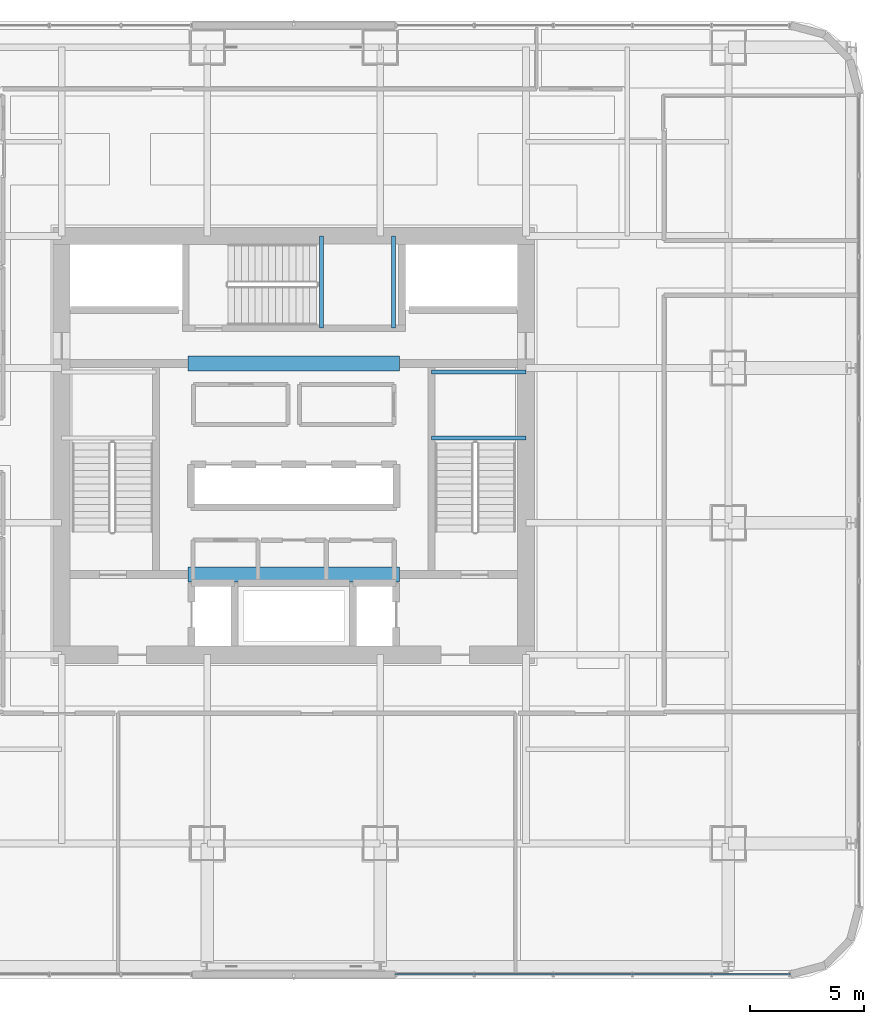
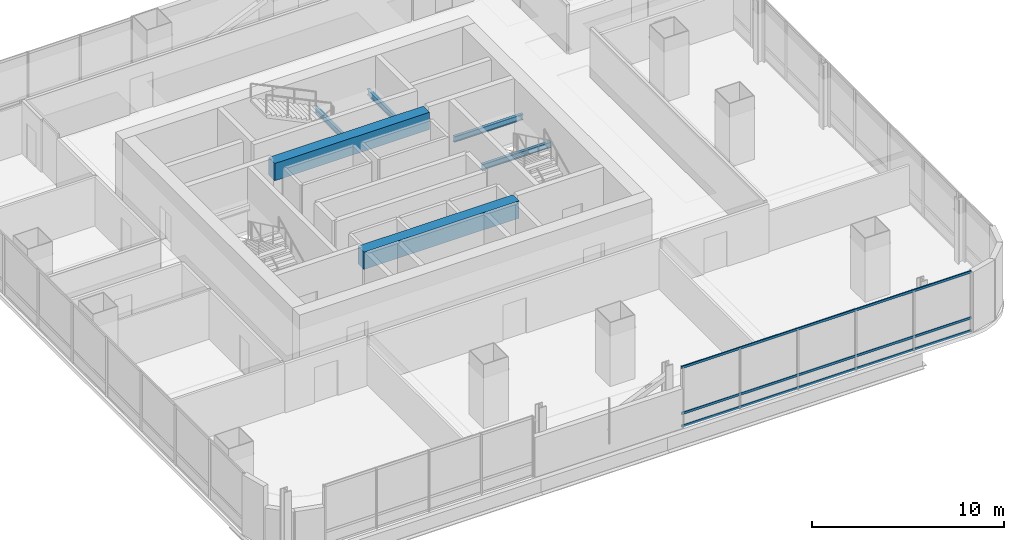
# One storey, part 10 of 40: 6 beams, 3 members, 1 element without a shape of its own.
"""IFC4 building model written with IfcOpenShell, lengths in metres."""

from ifc_helpers import new_model, si_unit, direction, frame, origin, origin_2d, place, context, subcontext, project, spatial, rectangle, hollow_rectangle, i_section, extrude, material, material_profile, profile_set, type_object, element, aggregate, save


model = new_model("IFC4")

# Units and contexts
model_context = context("Model", 3, precision=1e-05, world=origin(), true_north=direction((0.0, 1.0)))
body_context = subcontext(model_context, "Body", "Model", "MODEL_VIEW")
ifc_project = project(units=[si_unit("LENGTHUNIT", "METRE"), si_unit("AREAUNIT", "SQUARE_METRE"), si_unit("VOLUMEUNIT", "CUBIC_METRE"), si_unit("PLANEANGLEUNIT", "RADIAN"), si_unit("MASSUNIT", "GRAM", prefix="KILO")], contexts=[model_context])

# Site, building, storey
site_placement = place(None, origin())
site = spatial("IfcSite", under=ifc_project, at=site_placement, CompositionType="ELEMENT")
building_placement = place(site_placement, origin())
building = spatial("IfcBuilding", under=site, at=building_placement, Name="Punatoya Terracotta Tower", CompositionType="ELEMENT")
storey_placement = place(building_placement, frame((0.0, 0.0, 76.800048828125)))
storey = spatial("IfcBuildingStorey", under=building, at=storey_placement, Name="L17", CompositionType="ELEMENT", Elevation=76.800048828125)

# Beams
ifc_material_1 = material(Name="Concrete C60/75", Category="concrete")
ifc_material_profile_1 = material_profile(ifc_material_1, rectangle(XDim=0.64990234375, YDim=1.10009765625, at=origin_2d()))
ifc_profile_set_1 = profile_set([ifc_material_profile_1], Name="Concrete C60/75")
beam_type_1 = type_object("IfcBeamType", Name="BM-RC-1100", PredefinedType="LINTEL", material=ifc_profile_set_1)
for number, where, z_axis, x_axis, name in (
    (1, (-4.64990234375, -5.679931640625, 3.260009765625), (1.0, 0.0, 0.0), (0.0, 1.0, 0.0), "L17 Core Coupling Lintel CSW"),
    (2, (-4.64990234375, 3.60009765625, 3.260009765625), (1.0, 0.0, 0.0), (0.0, 1.0, 0.0), "L17 Core Coupling Lintel CNW"),
):
    element("IfcBeam", number, at=place(storey_placement, frame(where, z_axis=z_axis, x_axis=x_axis)), inside=storey, type_object=beam_type_1, Name=name, PredefinedType="LINTEL", context=body_context, shape_type="SweptSolid", body=[
        extrude(rectangle(XDim=0.64990234375, YDim=1.10009765625, at=origin_2d()), origin(), (0.0, 0.0, 1.0), 9.2998046875),
    ])
ifc_material_2 = material(Name="Steel S355", Category="steel")
ifc_material_profile_2 = material_profile(ifc_material_2, i_section(OverallWidth=0.169921875, OverallDepth=0.360107421875, WebThickness=0.008056640625, FlangeThickness=0.0126953125, FilletRadius=0.01806640625, at=origin_2d()))
ifc_profile_set_2 = profile_set([ifc_material_profile_2], Name="Steel S355")
beam_type_2 = type_object("IfcBeamType", Name="BM-SEC-360", PredefinedType="JOIST", material=ifc_profile_set_2)
for number, where, z_axis, x_axis, name in (
    (3, (6.050048828125, 0.320068359375, 1.64501953125), (1.0, 0.0, 0.0), (0.0, 1.0, 0.0), "BM-L17-ST-2-LD1A"),
    (4, (6.050048828125, 3.22998046875, 1.64501953125), (1.0, 0.0, 0.0), (0.0, 1.0, 0.0), "BM-L17-ST-2-LD1B"),
):
    element("IfcBeam", number, at=place(storey_placement, frame(where, z_axis=z_axis, x_axis=x_axis)), inside=storey, type_object=beam_type_2, Name=name, PredefinedType="JOIST", context=body_context, shape_type="SweptSolid", body=[
        extrude(i_section(OverallWidth=0.169921875, OverallDepth=0.360107421875, WebThickness=0.008056640625, FlangeThickness=0.0126953125, FilletRadius=0.01806640625, at=origin_2d()), origin(), (0.0, 0.0, 1.0), 4.14990234375),
    ])
for number, where, z_axis, x_axis, name in (
    (5, (1.219970703125, 5.14990234375, 1.64501953125), (0.0, 1.0, 0.0), (-1.0, 0.0, 0.0), "BM-L17-ST-3-LD1A"),
    (6, (4.3798828125, 5.14990234375, 1.64501953125), (0.0, 1.0, 0.0), (-1.0, 0.0, 0.0), "BM-L17-ST-3-LD1B"),
):
    element("IfcBeam", number, at=place(storey_placement, frame(where, z_axis=z_axis, x_axis=x_axis)), inside=storey, type_object=beam_type_2, Name=name, PredefinedType="JOIST", context=body_context, shape_type="SweptSolid", body=[
        extrude(i_section(OverallWidth=0.169921875, OverallDepth=0.360107421875, WebThickness=0.008056640625, FlangeThickness=0.0126953125, FilletRadius=0.01806640625, at=origin_2d()), origin(), (0.0, 0.0, 1.0), 4.050048828125),
    ])

# Curtain wall, members
ifc_material_3 = material(Name="Aluminium 6063-T6 + Double Low-E Glass", Category="aluminium")
curtain_wall_type = type_object("IfcCurtainWallType", Name="CW-M1", PredefinedType="NOTDEFINED", material=ifc_material_3)
curtain_wall_placement = place(storey_placement, origin())
curtain_wall = element("IfcCurtainWall", 7, at=curtain_wall_placement, inside=storey, type_object=curtain_wall_type, Name="L17 Curtain Wall CW-L17-S01-2", PredefinedType="NOTDEFINED")
ifc_material_4 = material(Name="Aluminium 6063-T6", Category="aluminium")
ifc_material_profile_3 = material_profile(ifc_material_4, hollow_rectangle(XDim=0.068115234375, YDim=0.14990234375, WallThickness=0.00390625, at=origin_2d()))
ifc_profile_set_3 = profile_set([ifc_material_profile_3], Name="Aluminium 6063-T6")
member_type = type_object("IfcMemberType", Name="CW-TRN-TYP", PredefinedType="USERDEFINED", material=ifc_profile_set_3)
member_1_placement = place(storey_placement, frame((4.449951171875, -23.25, 0.0400390625), z_axis=(1.0, 0.0, 0.0), x_axis=(0.0, 1.0, 0.0)))
member_1 = element("IfcMember", 8, at=member_1_placement, type_object=member_type, Name="CW-L17-S01-2 Transom 1", ObjectType="TRANSOM", PredefinedType="USERDEFINED", context=body_context, shape_type="SweptSolid", body=[
    extrude(hollow_rectangle(XDim=0.068115234375, YDim=0.14990234375, WallThickness=0.00390625, at=origin_2d()), origin(), (0.0, 0.0, 1.0), 17.386962890625),
])
member_2_placement = place(storey_placement, frame((4.449951171875, -23.25, 0.849853515625), z_axis=(1.0, 0.0, 0.0), x_axis=(0.0, 1.0, 0.0)))
member_2 = element("IfcMember", 9, at=member_2_placement, type_object=member_type, Name="CW-L17-S01-2 Transom 2", ObjectType="TRANSOM", PredefinedType="USERDEFINED", context=body_context, shape_type="SweptSolid", body=[
    extrude(hollow_rectangle(XDim=0.068115234375, YDim=0.14990234375, WallThickness=0.00390625, at=origin_2d()), origin(), (0.0, 0.0, 1.0), 17.386962890625),
])
member_3_placement = place(storey_placement, frame((4.449951171875, -23.25, 3.77001953125), z_axis=(1.0, 0.0, 0.0), x_axis=(0.0, 1.0, 0.0)))
member_3 = element("IfcMember", 10, at=member_3_placement, type_object=member_type, Name="CW-L17-S01-2 Transom 3", ObjectType="TRANSOM", PredefinedType="USERDEFINED", context=body_context, shape_type="SweptSolid", body=[
    extrude(hollow_rectangle(XDim=0.068115234375, YDim=0.14990234375, WallThickness=0.00390625, at=origin_2d()), origin(), (0.0, 0.0, 1.0), 17.386962890625),
])
aggregate(curtain_wall, [member_1, member_2, member_3])

save(model, "model.ifc")
